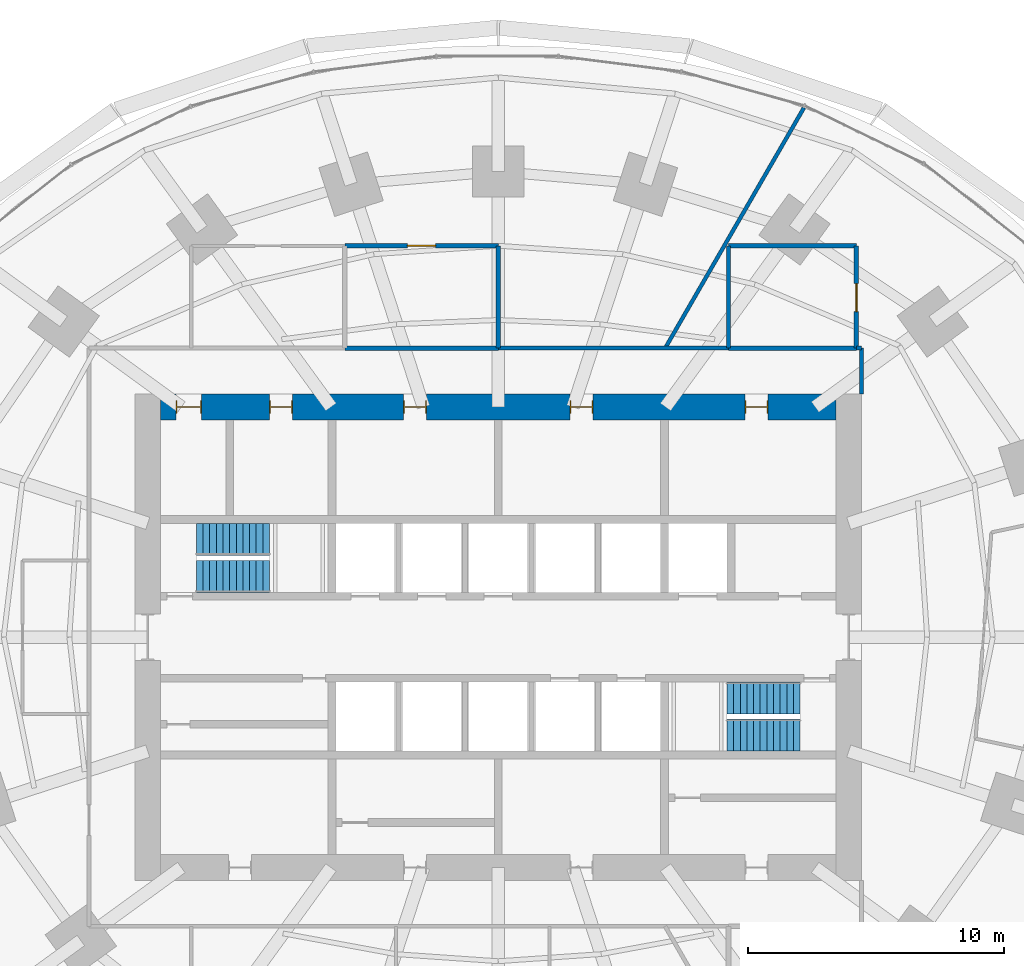
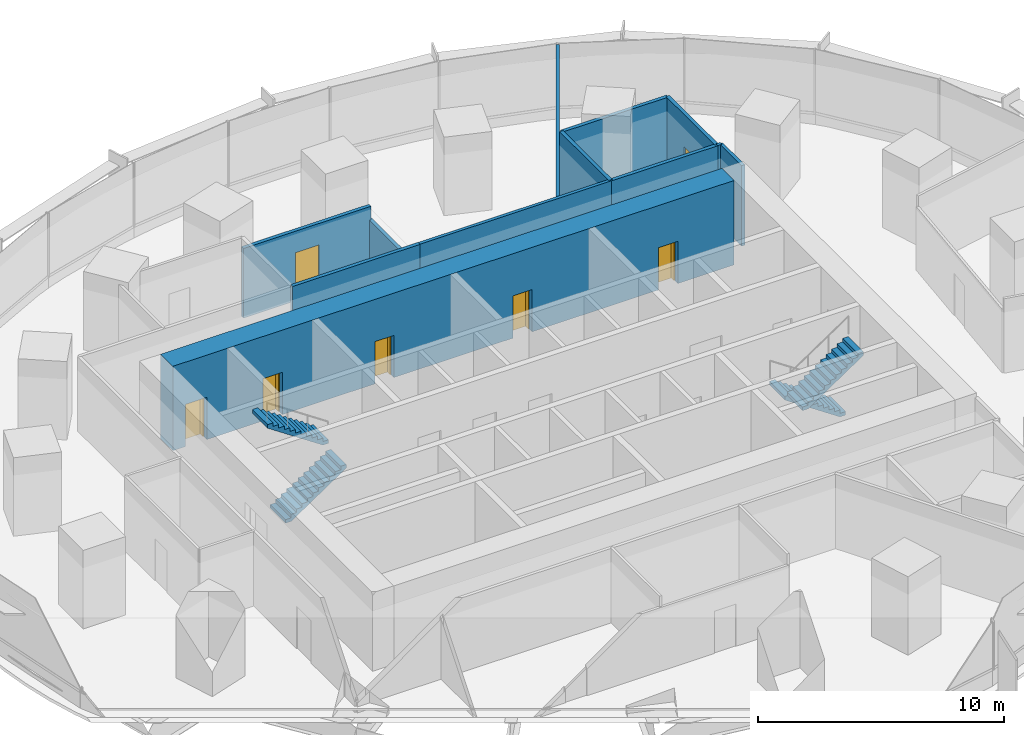
# One storey, part 13 of 15: 12 walls, 7 doors, 4 stair flights, 7 openings, 2 elements without a shape of their own.
"""IFC4 building model written with IfcOpenShell, lengths in metres."""

from ifc_helpers import new_model, si_unit, direction, frame, frame_2d, origin, place, context, subcontext, project, spatial, polyline, rectangle, outline, extrude, material, layer, layer_set, type_object, element, fill, aggregate, save


model = new_model("IFC4")

# Units and contexts
model_context = context("Model", 3, precision=1e-05, world=origin(), true_north=direction((0.0, 1.0)))
body_context = subcontext(model_context, "Body", "Model", "MODEL_VIEW")
ifc_project = project(units=[si_unit("LENGTHUNIT", "METRE"), si_unit("AREAUNIT", "SQUARE_METRE"), si_unit("VOLUMEUNIT", "CUBIC_METRE"), si_unit("PLANEANGLEUNIT", "RADIAN"), si_unit("MASSUNIT", "GRAM", prefix="KILO")], contexts=[model_context])

# Site, building, storey
site_placement = place(None, origin())
site = spatial("IfcSite", under=ifc_project, at=site_placement, CompositionType="ELEMENT")
building_placement = place(site_placement, origin())
building = spatial("IfcBuilding", under=site, at=building_placement, Name="Marramba Exchange Tower", CompositionType="ELEMENT")
storey_placement = place(building_placement, frame((0.0, 0.0, 82.60009765625)))
storey = spatial("IfcBuildingStorey", under=building, at=storey_placement, Name="L19", CompositionType="ELEMENT", Elevation=82.60009765625)

# Wall, opening, door
ifc_material_1 = material(Name="Plasterboard on staggered double steel studs, acoustic insulation", Category="steel")
ifc_layer_1 = layer(ifc_material_1, 0.169921875)
ifc_layer_set_1 = layer_set([ifc_layer_1], Name="Acoustic partition 170")
wall_type_1 = type_object("IfcWallType", Name="Acoustic partition 170", PredefinedType="PARTITIONING", material=ifc_layer_set_1)
wall_1_placement = place(storey_placement, frame((14.0, 11.300048828125, 0.0), z_axis=(0.0, 0.0, 1.0), x_axis=(0.0, 1.0, 0.0)))
wall_1 = element("IfcWall", 1, at=wall_1_placement, inside=storey, type_object=wall_type_1, Name="Acoustic partition L19 19", PredefinedType="PARTITIONING", context=body_context, shape_type="SweptSolid", body=[
    extrude(rectangle(XDim=4.0, YDim=0.169921875, at=frame_2d((2.0, 0.0))), origin(), (0.0, 0.0, 1.0), 4.0),
])
opening_1_placement = place(wall_1_placement, frame((1.424072265625, 0.0, 0.0)))
opening_1 = element("IfcOpeningElement", 2, at=opening_1_placement, cuts=wall_1, Name="Opening D15", PredefinedType="OPENING", context=body_context, shape_type="SweptSolid", body=[
    extrude(rectangle(XDim=1.10009765625, YDim=2.39990234375, at=frame_2d((0.550048828125, 1.199951171875))), frame((0.0, 0.094970703125, 0.0), z_axis=(0.0, -1.0, 0.0), x_axis=(1.0, 0.0, 0.0)), (0.0, 0.0, 1.0), 0.18994140625),
])
ifc_material_2 = material(Name="Timber door", Category="wood")
door_type_1 = type_object("IfcDoorType", Name="Glazed meeting room door 1100x2400", OperationType="SINGLE_SWING_LEFT", PredefinedType="DOOR", material=ifc_material_2)
door_1_placement = place(opening_1_placement, origin())
door_1 = element("IfcDoor", 3, at=door_1_placement, inside=storey, type_object=door_type_1, Name="D15 Meeting Room 1 L19", OperationType="SINGLE_SWING_LEFT", OverallHeight=2.39990234375, OverallWidth=1.10009765625, PredefinedType="DOOR", context=body_context, shape_type="SweptSolid", body=[
    extrude(rectangle(XDim=1.10009765625, YDim=2.39990234375, at=frame_2d((0.550048828125, 1.199951171875))), frame((0.0, 0.02490234375, 0.0), z_axis=(0.0, -1.0, 0.0), x_axis=(1.0, 0.0, 0.0)), (0.0, 0.0, 1.0), 0.050048828125),
])
fill(opening_1, door_1)

# Walls
for number, where, z_axis, x_axis, name in (
    (4, (9.0, 11.300048828125, 0.0), (0.0, 0.0, 1.0), (1.0, 0.0, 0.0), "Acoustic partition L19 20"),
    (5, (14.0, 15.300048828125, 0.0), (0.0, 0.0, 1.0), (-1.0, 0.0, 0.0), "Acoustic partition L19 21"),
):
    element("IfcWall", number, at=place(storey_placement, frame(where, z_axis=z_axis, x_axis=x_axis)), inside=storey, type_object=wall_type_1, Name=name, PredefinedType="PARTITIONING", context=body_context, shape_type="SweptSolid", body=[
        extrude(rectangle(XDim=5.0, YDim=0.169921875, at=frame_2d((2.5, 0.0))), origin(), (0.0, 0.0, 1.0), 4.0),
    ])
wall_2_placement = place(storey_placement, frame((9.0, 15.300048828125, 0.0), z_axis=(0.0, 0.0, 1.0), x_axis=(0.0, -1.0, 0.0)))
element("IfcWall", 6, at=wall_2_placement, inside=storey, type_object=wall_type_1, Name="Acoustic partition L19 22", PredefinedType="PARTITIONING", context=body_context, shape_type="SweptSolid", body=[
    extrude(rectangle(XDim=4.0, YDim=0.169921875, at=frame_2d((2.0, 0.0))), origin(), (0.0, 0.0, 1.0), 4.0),
])
wall_3_placement = place(storey_placement, frame((0.0, 11.300048828125, 0.0), z_axis=(0.0, 0.0, 1.0), x_axis=(0.0, 1.0, 0.0)))
element("IfcWall", 7, at=wall_3_placement, inside=storey, type_object=wall_type_1, Name="Acoustic partition L19 25", PredefinedType="PARTITIONING", context=body_context, shape_type="SweptSolid", body=[
    extrude(rectangle(XDim=4.0, YDim=0.169921875, at=frame_2d((2.0, 0.0))), origin(), (0.0, 0.0, 1.0), 2.7998046875),
])

# Wall, opening, door
wall_4_placement = place(storey_placement, frame((0.0, 15.300048828125, 0.0), z_axis=(0.0, 0.0, 1.0), x_axis=(-1.0, 0.0, 0.0)))
wall_4 = element("IfcWall", 8, at=wall_4_placement, inside=storey, type_object=wall_type_1, Name="Acoustic partition L19 26", PredefinedType="PARTITIONING", context=body_context, shape_type="SweptSolid", body=[
    extrude(rectangle(XDim=6.0, YDim=0.169921875, at=frame_2d((3.0, 0.0))), origin(), (0.0, 0.0, 1.0), 3.466796875),
])
opening_2_placement = place(wall_4_placement, frame((2.449951171875, 0.0, 0.0)))
opening_2 = element("IfcOpeningElement", 9, at=opening_2_placement, cuts=wall_4, Name="Opening D15", PredefinedType="OPENING", context=body_context, shape_type="SweptSolid", body=[
    extrude(rectangle(XDim=1.10009765625, YDim=2.39990234375, at=frame_2d((0.550048828125, 1.199951171875))), frame((0.0, 0.094970703125, 0.0), z_axis=(0.0, -1.0, 0.0), x_axis=(1.0, 0.0, 0.0)), (0.0, 0.0, 1.0), 0.18994140625),
])
door_2_placement = place(opening_2_placement, origin())
door_2 = element("IfcDoor", 10, at=door_2_placement, inside=storey, type_object=door_type_1, Name="D15 Meeting Room 2 L19", OperationType="SINGLE_SWING_RIGHT", OverallHeight=2.39990234375, OverallWidth=1.10009765625, PredefinedType="DOOR", context=body_context, shape_type="SweptSolid", body=[
    extrude(rectangle(XDim=1.10009765625, YDim=2.39990234375, at=frame_2d((0.550048828125, 1.199951171875))), frame((0.0, 0.02490234375, 0.0), z_axis=(0.0, -1.0, 0.0), x_axis=(1.0, 0.0, 0.0)), (0.0, 0.0, 1.0), 0.050048828125),
])
fill(opening_2, door_2)

# Wall
wall_5_placement = place(storey_placement, frame((-6.0, 11.300048828125, 0.0), z_axis=(0.0, 0.0, 1.0), x_axis=(1.0, 0.0, 0.0)))
element("IfcWall", 11, at=wall_5_placement, inside=storey, type_object=wall_type_1, Name="Acoustic partition L19 27", PredefinedType="PARTITIONING", context=body_context, shape_type="SweptSolid", body=[
    extrude(rectangle(XDim=6.0, YDim=0.169921875, at=frame_2d((3.0, 0.0))), origin(), (0.0, 0.0, 1.0), 4.0),
])

# Wall, openings, doors
ifc_material_3 = material(Name="Concrete N50", Category="concrete")
ifc_layer_2 = layer(ifc_material_3, 1.0)
ifc_layer_set_2 = layer_set([ifc_layer_2], Name="Core wall 1000")
wall_type_2 = type_object("IfcWallType", Name="Core wall 1000", PredefinedType="SHEAR", material=ifc_layer_set_2)
wall_6_placement = place(storey_placement, frame((13.199951171875, 9.0, 0.0), z_axis=(0.0, 0.0, 1.0), x_axis=(-1.0, 0.0, 0.0)))
wall_6 = element("IfcWall", 12, at=wall_6_placement, inside=storey, type_object=wall_type_2, Name="Core wall N L19", PredefinedType="SHEAR", context=body_context, shape_type="SweptSolid", body=[
    extrude(rectangle(XDim=26.39990234375, YDim=1.0, at=frame_2d((13.199951171875, 0.0))), origin(), (0.0, 0.0, 1.0), 4.199951171875),
])
opening_3_placement = place(wall_6_placement, frame((2.64990234375, 0.0, 0.0)))
opening_3 = element("IfcOpeningElement", 13, at=opening_3_placement, cuts=wall_6, Name="Opening D5", PredefinedType="OPENING", context=body_context, shape_type="SweptSolid", body=[
    extrude(rectangle(XDim=0.89990234375, YDim=2.10009765625, at=frame_2d((0.449951171875, 1.050048828125))), frame((0.0, 0.510009765625, 0.0), z_axis=(0.0, -1.0, 0.0), x_axis=(1.0, 0.0, 0.0)), (0.0, 0.0, 1.0), 1.02001953125),
])
opening_4_placement = place(wall_6_placement, frame((9.5, 0.0, 0.0)))
opening_4 = element("IfcOpeningElement", 14, at=opening_4_placement, cuts=wall_6, Name="Opening D3", PredefinedType="OPENING", context=body_context, shape_type="SweptSolid", body=[
    extrude(rectangle(XDim=0.89990234375, YDim=2.10009765625, at=frame_2d((0.449951171875, 1.050048828125))), frame((0.0, 0.510009765625, 0.0), z_axis=(0.0, -1.0, 0.0), x_axis=(1.0, 0.0, 0.0)), (0.0, 0.0, 1.0), 1.02001953125),
])
opening_5_placement = place(wall_6_placement, frame((16.0, 0.0, 0.0)))
opening_5 = element("IfcOpeningElement", 15, at=opening_5_placement, cuts=wall_6, Name="Opening D3", PredefinedType="OPENING", context=body_context, shape_type="SweptSolid", body=[
    extrude(rectangle(XDim=0.89990234375, YDim=2.10009765625, at=frame_2d((0.449951171875, 1.050048828125))), frame((0.0, 0.510009765625, 0.0), z_axis=(0.0, -1.0, 0.0), x_axis=(1.0, 0.0, 0.0)), (0.0, 0.0, 1.0), 1.02001953125),
])
opening_6_placement = place(wall_6_placement, frame((21.25, 0.0, 0.0)))
opening_6 = element("IfcOpeningElement", 16, at=opening_6_placement, cuts=wall_6, Name="Opening D5", PredefinedType="OPENING", context=body_context, shape_type="SweptSolid", body=[
    extrude(rectangle(XDim=0.89990234375, YDim=2.10009765625, at=frame_2d((0.449951171875, 1.050048828125))), frame((0.0, 0.510009765625, 0.0), z_axis=(0.0, -1.0, 0.0), x_axis=(1.0, 0.0, 0.0)), (0.0, 0.0, 1.0), 1.02001953125),
])
opening_7_placement = place(wall_6_placement, frame((24.800048828125, 0.0, 0.0)))
opening_7 = element("IfcOpeningElement", 17, at=opening_7_placement, cuts=wall_6, Name="Opening D4", PredefinedType="OPENING", context=body_context, shape_type="SweptSolid", body=[
    extrude(rectangle(XDim=1.0, YDim=2.10009765625, at=frame_2d((0.5, 1.050048828125))), frame((0.0, 0.510009765625, 0.0), z_axis=(0.0, -1.0, 0.0), x_axis=(1.0, 0.0, 0.0)), (0.0, 0.0, 1.0), 1.02001953125),
])
ifc_material_4 = material(Name="Steel-framed door", Category="steel")
door_type_2 = type_object("IfcDoorType", Name="Accessible toilet door 1000x2100", OperationType="SINGLE_SWING_LEFT", PredefinedType="DOOR", material=ifc_material_4)
door_3_placement = place(opening_7_placement, origin())
door_3 = element("IfcDoor", 18, at=door_3_placement, inside=storey, type_object=door_type_2, Name="D4 awc L19", OperationType="SINGLE_SWING_RIGHT", OverallHeight=2.10009765625, OverallWidth=1.0, PredefinedType="DOOR", context=body_context, shape_type="SweptSolid", body=[
    extrude(rectangle(XDim=0.919921875, YDim=2.06005859375, at=frame_2d((0.5, 1.030029296875))), frame((0.0, 0.02490234375, 0.0), z_axis=(0.0, -1.0, 0.0), x_axis=(1.0, 0.0, 0.0)), (0.0, 0.0, 1.0), 0.050048828125),
    extrude(rectangle(XDim=0.04, YDim=2.10009765625, at=frame_2d((0.02001953125, 1.050048828125))), frame((0.0, 0.25, 0.0), z_axis=(0.0, -1.0, 0.0), x_axis=(1.0, 0.0, 0.0)), (0.0, 0.0, 1.0), 0.5),
    extrude(rectangle(XDim=0.04, YDim=2.10009765625, at=frame_2d((0.97998046875, 1.050048828125))), frame((0.0, 0.25, 0.0), z_axis=(0.0, -1.0, 0.0), x_axis=(1.0, 0.0, 0.0)), (0.0, 0.0, 1.0), 0.5),
    extrude(rectangle(XDim=0.919921875, YDim=0.04, at=frame_2d((0.5, 2.080078125))), frame((0.0, 0.25, 0.0), z_axis=(0.0, -1.0, 0.0), x_axis=(1.0, 0.0, 0.0)), (0.0, 0.0, 1.0), 0.5),
])
fill(opening_7, door_3)
door_type_3 = type_object("IfcDoorType", Name="Service door 900x2100", OperationType="SINGLE_SWING_LEFT", PredefinedType="DOOR", material=ifc_material_4)
door_4_placement = place(opening_3_placement, origin())
door_4 = element("IfcDoor", 19, at=door_4_placement, inside=storey, type_object=door_type_3, Name="D5 comms L19", OperationType="SINGLE_SWING_LEFT", OverallHeight=2.10009765625, OverallWidth=0.89990234375, PredefinedType="DOOR", context=body_context, shape_type="SweptSolid", body=[
    extrude(rectangle(XDim=0.81982421875, YDim=2.06005859375, at=frame_2d((0.449951171875, 1.030029296875))), frame((0.0, 0.02490234375, 0.0), z_axis=(0.0, -1.0, 0.0), x_axis=(1.0, 0.0, 0.0)), (0.0, 0.0, 1.0), 0.050048828125),
    extrude(rectangle(XDim=0.04, YDim=2.10009765625, at=frame_2d((0.02001953125, 1.050048828125))), frame((0.0, 0.25, 0.0), z_axis=(0.0, -1.0, 0.0), x_axis=(1.0, 0.0, 0.0)), (0.0, 0.0, 1.0), 0.5),
    extrude(rectangle(XDim=0.04, YDim=2.10009765625, at=frame_2d((0.8798828125, 1.050048828125))), frame((0.0, 0.25, 0.0), z_axis=(0.0, -1.0, 0.0), x_axis=(1.0, 0.0, 0.0)), (0.0, 0.0, 1.0), 0.5),
    extrude(rectangle(XDim=0.81982421875, YDim=0.04, at=frame_2d((0.449951171875, 2.080078125))), frame((0.0, 0.25, 0.0), z_axis=(0.0, -1.0, 0.0), x_axis=(1.0, 0.0, 0.0)), (0.0, 0.0, 1.0), 0.5),
])
fill(opening_3, door_4)
door_5_placement = place(opening_6_placement, origin())
door_5 = element("IfcDoor", 20, at=door_5_placement, inside=storey, type_object=door_type_3, Name="D5 cleaner L19", OperationType="SINGLE_SWING_RIGHT", OverallHeight=2.10009765625, OverallWidth=0.89990234375, PredefinedType="DOOR", context=body_context, shape_type="SweptSolid", body=[
    extrude(rectangle(XDim=0.81982421875, YDim=2.06005859375, at=frame_2d((0.449951171875, 1.030029296875))), frame((0.0, 0.02490234375, 0.0), z_axis=(0.0, -1.0, 0.0), x_axis=(1.0, 0.0, 0.0)), (0.0, 0.0, 1.0), 0.050048828125),
    extrude(rectangle(XDim=0.04, YDim=2.10009765625, at=frame_2d((0.02001953125, 1.050048828125))), frame((0.0, 0.25, 0.0), z_axis=(0.0, -1.0, 0.0), x_axis=(1.0, 0.0, 0.0)), (0.0, 0.0, 1.0), 0.5),
    extrude(rectangle(XDim=0.04, YDim=2.10009765625, at=frame_2d((0.8798828125, 1.050048828125))), frame((0.0, 0.25, 0.0), z_axis=(0.0, -1.0, 0.0), x_axis=(1.0, 0.0, 0.0)), (0.0, 0.0, 1.0), 0.5),
    extrude(rectangle(XDim=0.81982421875, YDim=0.04, at=frame_2d((0.449951171875, 2.080078125))), frame((0.0, 0.25, 0.0), z_axis=(0.0, -1.0, 0.0), x_axis=(1.0, 0.0, 0.0)), (0.0, 0.0, 1.0), 0.5),
])
fill(opening_6, door_5)
door_type_4 = type_object("IfcDoorType", Name="Toilet door 900x2100", OperationType="SINGLE_SWING_LEFT", PredefinedType="DOOR", material=ifc_material_4)
door_6_placement = place(opening_4_placement, origin())
door_6 = element("IfcDoor", 21, at=door_6_placement, inside=storey, type_object=door_type_4, Name="D3 wc-f L19", OperationType="SINGLE_SWING_RIGHT", OverallHeight=2.10009765625, OverallWidth=0.89990234375, PredefinedType="DOOR", context=body_context, shape_type="SweptSolid", body=[
    extrude(rectangle(XDim=0.81982421875, YDim=2.06005859375, at=frame_2d((0.449951171875, 1.030029296875))), frame((0.0, 0.02490234375, 0.0), z_axis=(0.0, -1.0, 0.0), x_axis=(1.0, 0.0, 0.0)), (0.0, 0.0, 1.0), 0.050048828125),
    extrude(rectangle(XDim=0.04, YDim=2.10009765625, at=frame_2d((0.02001953125, 1.050048828125))), frame((0.0, 0.25, 0.0), z_axis=(0.0, -1.0, 0.0), x_axis=(1.0, 0.0, 0.0)), (0.0, 0.0, 1.0), 0.5),
    extrude(rectangle(XDim=0.04, YDim=2.10009765625, at=frame_2d((0.8798828125, 1.050048828125))), frame((0.0, 0.25, 0.0), z_axis=(0.0, -1.0, 0.0), x_axis=(1.0, 0.0, 0.0)), (0.0, 0.0, 1.0), 0.5),
    extrude(rectangle(XDim=0.81982421875, YDim=0.04, at=frame_2d((0.449951171875, 2.080078125))), frame((0.0, 0.25, 0.0), z_axis=(0.0, -1.0, 0.0), x_axis=(1.0, 0.0, 0.0)), (0.0, 0.0, 1.0), 0.5),
])
fill(opening_4, door_6)
door_7_placement = place(opening_5_placement, origin())
door_7 = element("IfcDoor", 22, at=door_7_placement, inside=storey, type_object=door_type_4, Name="D3 wc-m L19", OperationType="SINGLE_SWING_RIGHT", OverallHeight=2.10009765625, OverallWidth=0.89990234375, PredefinedType="DOOR", context=body_context, shape_type="SweptSolid", body=[
    extrude(rectangle(XDim=0.81982421875, YDim=2.06005859375, at=frame_2d((0.449951171875, 1.030029296875))), frame((0.0, 0.02490234375, 0.0), z_axis=(0.0, -1.0, 0.0), x_axis=(1.0, 0.0, 0.0)), (0.0, 0.0, 1.0), 0.050048828125),
    extrude(rectangle(XDim=0.04, YDim=2.10009765625, at=frame_2d((0.02001953125, 1.050048828125))), frame((0.0, 0.25, 0.0), z_axis=(0.0, -1.0, 0.0), x_axis=(1.0, 0.0, 0.0)), (0.0, 0.0, 1.0), 0.5),
    extrude(rectangle(XDim=0.04, YDim=2.10009765625, at=frame_2d((0.8798828125, 1.050048828125))), frame((0.0, 0.25, 0.0), z_axis=(0.0, -1.0, 0.0), x_axis=(1.0, 0.0, 0.0)), (0.0, 0.0, 1.0), 0.5),
    extrude(rectangle(XDim=0.81982421875, YDim=0.04, at=frame_2d((0.449951171875, 2.080078125))), frame((0.0, 0.25, 0.0), z_axis=(0.0, -1.0, 0.0), x_axis=(1.0, 0.0, 0.0)), (0.0, 0.0, 1.0), 0.5),
])
fill(opening_5, door_7)

# Walls
ifc_material_5 = material(Name="Fire-rated plasterboard on steel studs, acoustic insulation", Category="steel")
ifc_layer_3 = layer(ifc_material_5, 0.14990234375)
ifc_layer_set_3 = layer_set([ifc_layer_3], Name="Tenancy wall 150")
wall_type_3 = type_object("IfcWallType", Name="Tenancy wall 150", PredefinedType="PARTITIONING", material=ifc_layer_set_3)
wall_7_placement = place(storey_placement, frame((14.199951171875, 9.5, 0.0), z_axis=(0.0, 0.0, 1.0), x_axis=(0.0, 1.0, 0.0)))
element("IfcWall", 23, at=wall_7_placement, inside=storey, type_object=wall_type_3, Name="Tenancy wall L19 17", PredefinedType="PARTITIONING", context=body_context, shape_type="SweptSolid", body=[
    extrude(rectangle(XDim=1.800048828125, YDim=0.14990234375, at=frame_2d((0.89990234375, 0.0))), origin(), (0.0, 0.0, 1.0), 4.0),
])
wall_8_placement = place(storey_placement, frame((14.199951171875, 11.300048828125, 0.0), z_axis=(0.0, 0.0, 1.0), x_axis=(-1.0, 0.0, 0.0)))
element("IfcWall", 24, at=wall_8_placement, inside=storey, type_object=wall_type_3, Name="Tenancy wall L19 18", PredefinedType="PARTITIONING", context=body_context, shape_type="SweptSolid", body=[
    extrude(rectangle(XDim=0.199951171875, YDim=0.14990234375, at=frame_2d((0.10009765625, 0.0))), origin(), (0.0, 0.0, 1.0), 4.0),
])
wall_9_placement = place(storey_placement, frame((6.524169921875, 11.300048828125, 0.0), z_axis=(0.0, 0.0, 1.0), x_axis=(0.499989292232, 0.866031585829, 0.0)))
element("IfcWall", 25, at=wall_9_placement, inside=storey, type_object=wall_type_3, Name="Tenancy wall L19 23", PredefinedType="PARTITIONING", context=body_context, shape_type="SweptSolid", body=[
    extrude(rectangle(XDim=10.850341796875, YDim=0.14990234375, at=frame_2d((5.42529296875, 0.0))), origin(), (0.0, 0.0, 1.0), 4.0),
])
wall_10_placement = place(storey_placement, frame((9.0, 11.300048828125, 0.0), z_axis=(0.0, 0.0, 1.0), x_axis=(-1.0, 0.0, 0.0)))
element("IfcWall", 26, at=wall_10_placement, inside=storey, type_object=wall_type_3, Name="Tenancy wall L19 24", PredefinedType="PARTITIONING", context=body_context, shape_type="SweptSolid", body=[
    extrude(rectangle(XDim=9.0, YDim=0.14990234375, at=frame_2d((4.5, 0.0))), origin(), (0.0, 0.0, 1.0), 4.0),
])

# Stair, stair flights
ifc_material_6 = material(Name="Concrete N40 (40 MPa)", Category="concrete")
stair_type_1 = type_object("IfcStairType", Name="Exit stair ST1 4200 x 1250", PredefinedType="HALF_TURN_STAIR", material=ifc_material_6)
stair_1_placement = place(storey_placement, origin())
stair_1 = element("IfcStair", 27, at=stair_1_placement, inside=storey, type_object=stair_type_1, Name="Exit stair ST1 L19", PredefinedType="HALF_TURN_STAIR")
stair_flight_type_1 = type_object("IfcStairFlightType", Name="ST1 stair flight 1750 riser 1250 wide", PredefinedType="STRAIGHT", material=ifc_material_6)
stair_flight_1_placement = place(storey_placement, frame((-11.800048828125, 2.375, 0.0), z_axis=(0.0, 0.0, 1.0), x_axis=(1.0, 0.0, 0.0)))
stair_flight_1 = element("IfcStairFlight", 28, at=stair_flight_1_placement, type_object=stair_flight_type_1, Name="ST1 flight 1", NumberOfRisers=12, NumberOfTreads=11, PredefinedType="STRAIGHT", RiserHeight=0.175, TreadLength=0.26, context=body_context, shape_type="SweptSolid", body=[
    extrude(outline(polyline([(0.0, 0.0), (0.0, 0.175048828125), (0.260009765625, 0.175048828125), (0.260009765625, 0.35009765625), (0.52001953125, 0.35009765625), (0.52001953125, 0.52490234375), (0.780029296875, 0.52490234375), (0.780029296875, 0.699951171875), (1.0400390625, 0.699951171875), (1.0400390625, 0.875), (1.300048828125, 0.875), (1.300048828125, 1.050048828125), (1.56005859375, 1.050048828125), (1.56005859375, 1.22509765625), (1.820068359375, 1.22509765625), (1.820068359375, 1.39990234375), (2.080078125, 1.39990234375), (2.080078125, 1.574951171875), (2.340087890625, 1.574951171875), (2.340087890625, 1.75), (2.60009765625, 1.75), (2.60009765625, 1.925048828125), (2.860107421875, 1.925048828125), (2.860107421875, 2.10009765625), (2.860107421875, 1.744384765625), (0.2685546875, 0.0), (0.0, 0.0)])), frame((0.0, 0.625, 0.0), z_axis=(0.0, -1.0, 0.0), x_axis=(1.0, 0.0, 0.0)), (0.0, 0.0, 1.0), 1.25),
])
stair_flight_2_placement = place(storey_placement, frame((-8.93994140625, 3.824951171875, 2.099853515625), z_axis=(0.0, 0.0, 1.0), x_axis=(-1.0, 0.0, 0.0)))
stair_flight_2 = element("IfcStairFlight", 29, at=stair_flight_2_placement, type_object=stair_flight_type_1, Name="ST1 flight 2", NumberOfRisers=12, NumberOfTreads=11, PredefinedType="STRAIGHT", RiserHeight=0.175, TreadLength=0.26, context=body_context, shape_type="SweptSolid", body=[
    extrude(outline(polyline([(0.0, 0.0), (0.0, 0.175048828125), (0.260009765625, 0.175048828125), (0.260009765625, 0.35009765625), (0.52001953125, 0.35009765625), (0.52001953125, 0.52490234375), (0.780029296875, 0.52490234375), (0.780029296875, 0.699951171875), (1.0400390625, 0.699951171875), (1.0400390625, 0.875), (1.300048828125, 0.875), (1.300048828125, 1.050048828125), (1.56005859375, 1.050048828125), (1.56005859375, 1.22509765625), (1.820068359375, 1.22509765625), (1.820068359375, 1.39990234375), (2.080078125, 1.39990234375), (2.080078125, 1.574951171875), (2.340087890625, 1.574951171875), (2.340087890625, 1.75), (2.60009765625, 1.75), (2.60009765625, 1.925048828125), (2.860107421875, 1.925048828125), (2.860107421875, 2.10009765625), (2.860107421875, 1.744384765625), (0.2685546875, 0.0), (0.0, 0.0)])), frame((0.0, 0.625, 0.0), z_axis=(0.0, -1.0, 0.0), x_axis=(1.0, 0.0, 0.0)), (0.0, 0.0, 1.0), 1.25),
])
aggregate(stair_1, [stair_flight_1, stair_flight_2])

stair_type_2 = type_object("IfcStairType", Name="Exit stair ST2 4200 x 1250", PredefinedType="HALF_TURN_STAIR", material=ifc_material_6)
stair_2_placement = place(storey_placement, origin())
stair_2 = element("IfcStair", 30, at=stair_2_placement, inside=storey, type_object=stair_type_2, Name="Exit stair ST2 L19", PredefinedType="HALF_TURN_STAIR")
stair_flight_type_2 = type_object("IfcStairFlightType", Name="ST2 stair flight 1750 riser 1250 wide", PredefinedType="STRAIGHT", material=ifc_material_6)
stair_flight_3_placement = place(storey_placement, frame((11.800048828125, -2.375, 0.0), z_axis=(0.0, 0.0, 1.0), x_axis=(-1.0, 0.0, 0.0)))
stair_flight_3 = element("IfcStairFlight", 31, at=stair_flight_3_placement, type_object=stair_flight_type_2, Name="ST2 flight 1", NumberOfRisers=12, NumberOfTreads=11, PredefinedType="STRAIGHT", RiserHeight=0.175, TreadLength=0.26, context=body_context, shape_type="SweptSolid", body=[
    extrude(outline(polyline([(0.0, 0.0), (0.0, 0.175048828125), (0.260009765625, 0.175048828125), (0.260009765625, 0.35009765625), (0.52001953125, 0.35009765625), (0.52001953125, 0.52490234375), (0.780029296875, 0.52490234375), (0.780029296875, 0.699951171875), (1.0400390625, 0.699951171875), (1.0400390625, 0.875), (1.300048828125, 0.875), (1.300048828125, 1.050048828125), (1.56005859375, 1.050048828125), (1.56005859375, 1.22509765625), (1.820068359375, 1.22509765625), (1.820068359375, 1.39990234375), (2.080078125, 1.39990234375), (2.080078125, 1.574951171875), (2.340087890625, 1.574951171875), (2.340087890625, 1.75), (2.60009765625, 1.75), (2.60009765625, 1.925048828125), (2.860107421875, 1.925048828125), (2.860107421875, 2.10009765625), (2.860107421875, 1.744384765625), (0.2685546875, 0.0), (0.0, 0.0)])), frame((0.0, 0.625, 0.0), z_axis=(0.0, -1.0, 0.0), x_axis=(1.0, 0.0, 0.0)), (0.0, 0.0, 1.0), 1.25),
])
stair_flight_4_placement = place(storey_placement, frame((8.93994140625, -3.824951171875, 2.099853515625), z_axis=(0.0, 0.0, 1.0), x_axis=(1.0, 0.0, 0.0)))
stair_flight_4 = element("IfcStairFlight", 32, at=stair_flight_4_placement, type_object=stair_flight_type_2, Name="ST2 flight 2", NumberOfRisers=12, NumberOfTreads=11, PredefinedType="STRAIGHT", RiserHeight=0.175, TreadLength=0.26, context=body_context, shape_type="SweptSolid", body=[
    extrude(outline(polyline([(0.0, 0.0), (0.0, 0.175048828125), (0.260009765625, 0.175048828125), (0.260009765625, 0.35009765625), (0.52001953125, 0.35009765625), (0.52001953125, 0.52490234375), (0.780029296875, 0.52490234375), (0.780029296875, 0.699951171875), (1.0400390625, 0.699951171875), (1.0400390625, 0.875), (1.300048828125, 0.875), (1.300048828125, 1.050048828125), (1.56005859375, 1.050048828125), (1.56005859375, 1.22509765625), (1.820068359375, 1.22509765625), (1.820068359375, 1.39990234375), (2.080078125, 1.39990234375), (2.080078125, 1.574951171875), (2.340087890625, 1.574951171875), (2.340087890625, 1.75), (2.60009765625, 1.75), (2.60009765625, 1.925048828125), (2.860107421875, 1.925048828125), (2.860107421875, 2.10009765625), (2.860107421875, 1.744384765625), (0.2685546875, 0.0), (0.0, 0.0)])), frame((0.0, 0.625, 0.0), z_axis=(0.0, -1.0, 0.0), x_axis=(1.0, 0.0, 0.0)), (0.0, 0.0, 1.0), 1.25),
])
aggregate(stair_2, [stair_flight_3, stair_flight_4])

save(model, "model.ifc")
